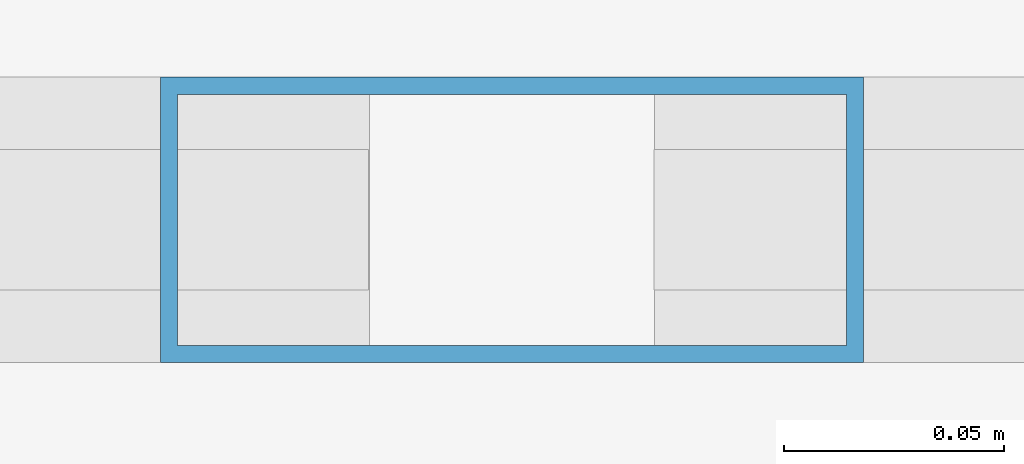
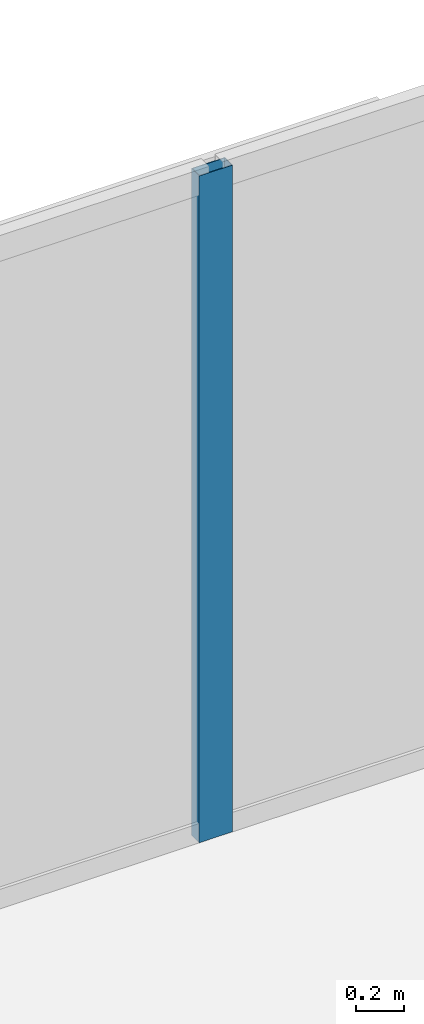
# One storey, part 23 of 34: 1 member, 1 element without a shape of its own.
"""IFC4 building model written with IfcOpenShell, lengths in metres."""

from ifc_helpers import new_model, si_unit, direction, frame, origin, origin_2d, place, context, subcontext, project, spatial, hollow_rectangle, extrude, material, layer, layer_set, material_profile, profile_set, type_object, element, aggregate, save


model = new_model("IFC4")

# Units and contexts
model_context = context("Model", 3, precision=1e-05, world=origin(), true_north=direction((0.0, 1.0)))
body_context = subcontext(model_context, "Body", "Model", "MODEL_VIEW")
ifc_project = project(units=[si_unit("LENGTHUNIT", "METRE"), si_unit("AREAUNIT", "SQUARE_METRE"), si_unit("VOLUMEUNIT", "CUBIC_METRE"), si_unit("PLANEANGLEUNIT", "RADIAN"), si_unit("MASSUNIT", "GRAM", prefix="KILO")], contexts=[model_context])

# Site, building, storey
site_placement = place(None, origin())
site = spatial("IfcSite", under=ifc_project, at=site_placement, CompositionType="ELEMENT")
building_placement = place(site_placement, origin())
building = spatial("IfcBuilding", under=site, at=building_placement, Name="Caelvoria Tower", CompositionType="ELEMENT")
storey_placement = place(building_placement, frame((0.0, 0.0, 28.0)))
storey = spatial("IfcBuildingStorey", under=building, at=storey_placement, Name="L06", CompositionType="ELEMENT", Elevation=28.0)

# Curtain wall, member
ifc_material_1 = material(Name="Anodised Bronze Aluminium and Low-E Glass", Category="aluminium")
ifc_layer = layer(ifc_material_1, 0.18505859375, Name="Anodised Bronze Aluminium and Low-E Glass")
ifc_layer_set = layer_set([ifc_layer], Name="CW System 2 Lower Tower Bronze Unitised Facade - Anodised Bronze Aluminium and Low-E Glass")
curtain_wall_type = type_object("IfcCurtainWallType", Name="CW System 2 Lower Tower Bronze Unitised Facade", PredefinedType="NOTDEFINED", material=ifc_layer_set)
curtain_wall_placement = place(storey_placement, origin())
curtain_wall = element("IfcCurtainWall", 1, at=curtain_wall_placement, inside=storey, type_object=curtain_wall_type, Name="CW-02 Curtain Wall L06-E4", PredefinedType="NOTDEFINED")
ifc_material_2 = material(Name="Anodised Bronze Architectural Aluminium", Category="aluminium")
ifc_material_profile = material_profile(ifc_material_2, hollow_rectangle(XDim=0.06494140625, YDim=0.159912109375, WallThickness=0.00390625, at=origin_2d()), Name="Anodised Bronze Architectural Aluminium")
ifc_profile_set = profile_set([ifc_material_profile], Name="CW_MULL_65X160 - Anodised Bronze Architectural Aluminium")
member_type = type_object("IfcMemberType", Name="Curtain Wall Mullion 65x160 Bronze Aluminium", PredefinedType="MULLION", material=ifc_profile_set)
member_placement = place(storey_placement, frame((53.769287109375, 52.6201171875, 0.0), z_axis=(0.0, 0.0, 1.0), x_axis=(0.0, -1.0, 0.0)))
member = element("IfcMember", 2, at=member_placement, type_object=member_type, Name="CW-02 mullion 5", PredefinedType="MULLION", context=body_context, shape_type="SweptSolid", body=[
    extrude(hollow_rectangle(XDim=0.06494140625, YDim=0.159912109375, WallThickness=0.00390625, at=origin_2d()), origin(), (0.0, 0.0, 1.0), 3.360107421875),
])
aggregate(curtain_wall, [member])

save(model, "model.ifc")
